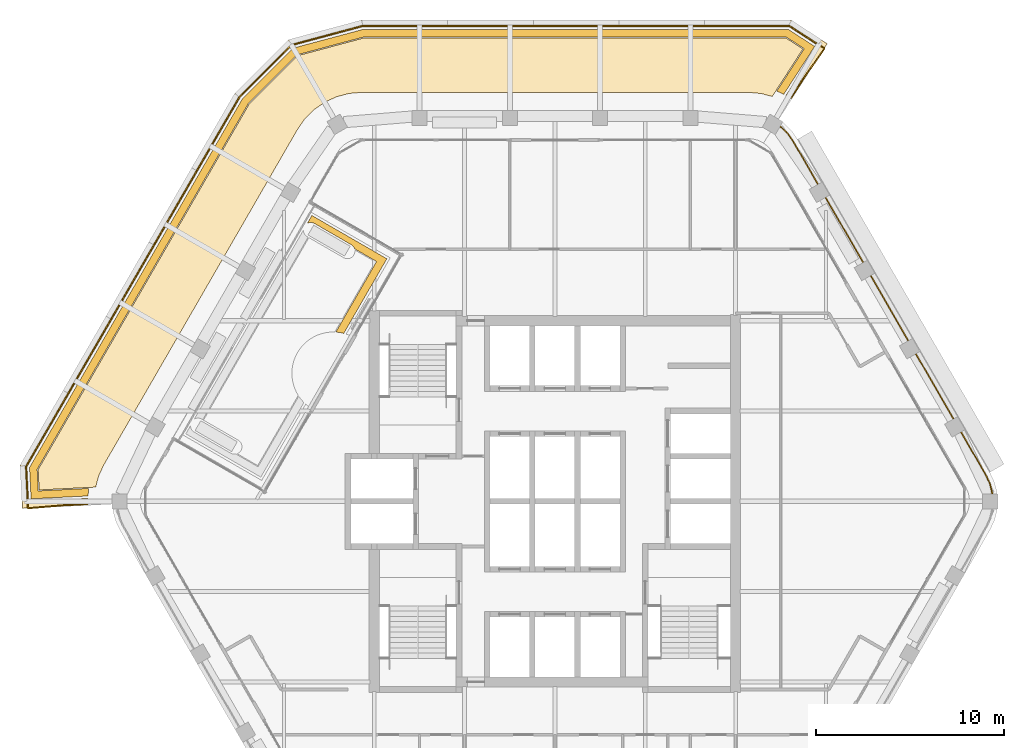
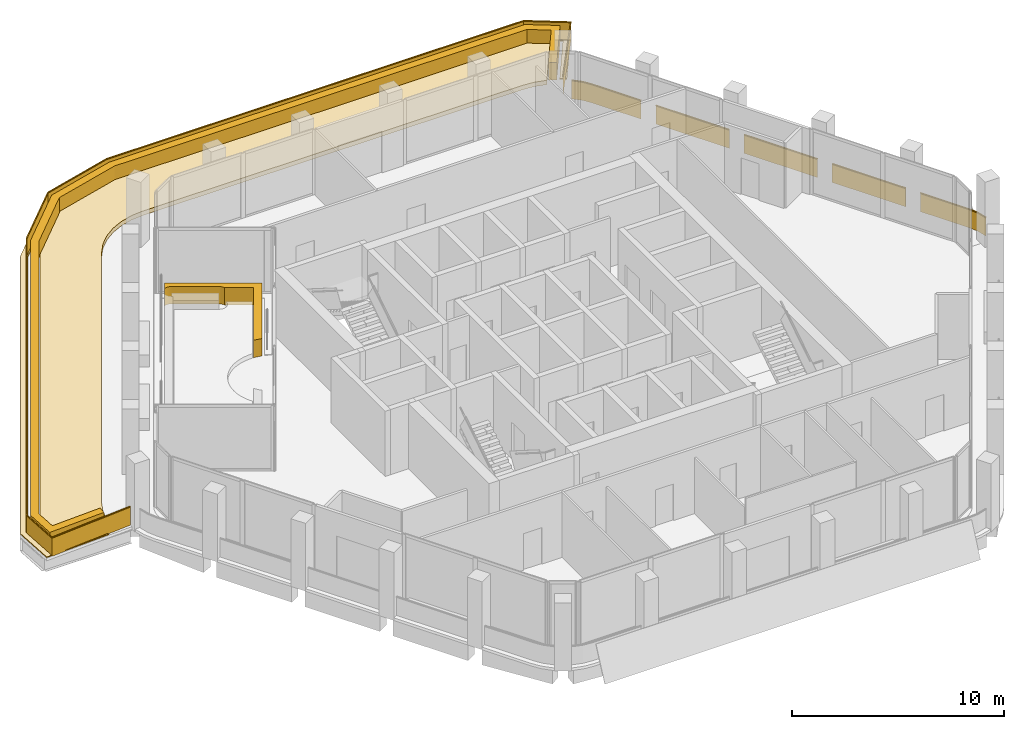
# One storey, part 16 of 16: 4 coverings, 2 railings.
"""IFC4 building model written with IfcOpenShell, lengths in metres."""

import ifcopenshell
import ifcopenshell.guid

model = None  # the IFC model being written
_history = None  # IfcOwnerHistory: only IFC2X3 demands one
_inside = {}  # id of a spatial element -> (the spatial element, [elements in it])
_under = {}  # id of a project, library or spatial element -> (it, [spatial elements below it])
_declared = {}  # id of a project -> (the project, [libraries it declares])
_typed = {}  # id of a type object -> (the type object, [elements of that type])
_made_of = {}  # id of a material, layer set ... -> (it, [elements and type objects made of it])


def new_model(schema):
    """Start an empty IFC model of exactly this schema.

    Asked for "IFC4X3", IfcOpenShell would pick the latest addendum, in which some entities
    have other attributes; the version numbers below select the first issue.
    IFC2X3 requires an IfcOwnerHistory on every rooted entity: one is made here for all.
    """
    global model, _history
    if schema == "IFC4X3":
        model = ifcopenshell.file(schema_version=(4, 3, 0, 0))
    else:
        model = ifcopenshell.file(schema=schema)
    _inside.clear()
    _under.clear()
    _declared.clear()
    _typed.clear()
    _made_of.clear()
    _history = None
    if model.schema == "IFC2X3":
        org = make("IfcOrganization", Name="unknown")
        user = make(
            "IfcPersonAndOrganization",
            ThePerson=make("IfcPerson", FamilyName="unknown"),
            TheOrganization=org,
        )
        app = make(
            "IfcApplication",
            ApplicationDeveloper=org,
            Version="unknown",
            ApplicationFullName="unknown",
            ApplicationIdentifier="unknown",
        )
        _history = make(
            "IfcOwnerHistory",
            OwningUser=user,
            OwningApplication=app,
            ChangeAction="ADDED",
            CreationDate=0,
        )
    return model


def make(cls, **values):
    """One entity of the class cls with the attributes given. An attribute that is None is left unset."""
    return model.create_entity(
        cls, **{name: value for name, value in values.items() if value is not None}
    )


def rooted(cls, **values):
    """An entity with a GlobalId (a new one), such as an element, a storey or a relation."""
    return make(cls, GlobalId=ifcopenshell.guid.new(), OwnerHistory=_history, **values)


def si_unit(unit_type, name, prefix=None):
    """IfcSIUnit, for example si_unit("LENGTHUNIT", "METRE", prefix="MILLI")."""
    return make("IfcSIUnit", UnitType=unit_type, Prefix=prefix, Name=name)


def assignment(units):
    """IfcUnitAssignment: the units of a project."""
    return None if units is None else make("IfcUnitAssignment", Units=units)


def point(xyz):
    """IfcCartesianPoint."""
    return None if xyz is None else make("IfcCartesianPoint", Coordinates=xyz)


def direction(xyz):
    """IfcDirection."""
    return None if xyz is None else make("IfcDirection", DirectionRatios=xyz)


def frame(location, z_axis=None, x_axis=None):
    """IfcAxis2Placement3D, a coordinate frame: its origin and axes. An axis left out is left unset."""
    return make(
        "IfcAxis2Placement3D",
        Location=point(location),
        Axis=direction(z_axis),
        RefDirection=direction(x_axis),
    )


def frame_2d(location, x_axis=None):
    """IfcAxis2Placement2D, a coordinate frame in the plane: its origin and x axis."""
    return make(
        "IfcAxis2Placement2D", Location=point(location), RefDirection=direction(x_axis)
    )


def origin():
    """The frame at (0, 0, 0) with its axes left unset."""
    return frame((0.0, 0.0, 0.0))


def origin_2d():
    """The frame at (0, 0) in the plane with its x axis left unset."""
    return frame_2d((0.0, 0.0))


def place(relative_to, where):
    """IfcLocalPlacement: puts the frame where relative to a parent placement (None: the world)."""
    return make(
        "IfcLocalPlacement", PlacementRelTo=relative_to, RelativePlacement=where
    )


def context(
    kind, dimensions, precision=None, world=None, true_north=None, identifier=None
):
    """IfcGeometricRepresentationContext, for example the 3D "Model" context."""
    return make(
        "IfcGeometricRepresentationContext",
        ContextIdentifier=identifier,
        ContextType=kind,
        CoordinateSpaceDimension=dimensions,
        Precision=precision,
        WorldCoordinateSystem=world,
        TrueNorth=true_north,
    )


def subcontext(parent, identifier, kind, view, scale=None):
    """IfcGeometricRepresentationSubContext, for example "Body" below "Model"."""
    return make(
        "IfcGeometricRepresentationSubContext",
        ContextIdentifier=identifier,
        ContextType=kind,
        ParentContext=parent,
        TargetScale=scale,
        TargetView=view,
    )


def project(units=None, contexts=None):
    """IfcProject with its units and contexts."""
    return rooted(
        "IfcProject",
        Name="project",
        RepresentationContexts=contexts,
        UnitsInContext=assignment(units),
    )


def spatial(cls, under=None, at=None, **own):
    """A site, building, storey or space (cls), placed at a placement, below another one or the project."""
    s = rooted(cls, ObjectPlacement=at, **own)
    if under is not None:
        _under.setdefault(under.id(), (under, []))[1].append(s)
    return s


def polyline(points):
    """IfcPolyline through the points."""
    return make("IfcPolyline", Points=[point(p) for p in points])


def profile(cls, at=None, kind="AREA", **sizes):
    """A parametric profile (cls). Its sizes go by their IFC names, for example OverallWidth=200.0."""
    return make(cls, ProfileType=kind, Position=at, **sizes)


def rectangle(**sizes):
    """IfcRectangleProfileDef."""
    return profile("IfcRectangleProfileDef", **sizes)


def outline(outer, holes=None, kind="AREA"):
    """IfcArbitraryClosedProfileDef: a profile drawn as a closed curve; with holes, ...WithVoids."""
    if holes is None:
        return make("IfcArbitraryClosedProfileDef", ProfileType=kind, OuterCurve=outer)
    return make(
        "IfcArbitraryProfileDefWithVoids",
        ProfileType=kind,
        OuterCurve=outer,
        InnerCurves=holes,
    )


def extrude(swept, where, along, depth):
    """IfcExtrudedAreaSolid: the profile swept, set in the frame where, extruded along a direction by depth."""
    return make(
        "IfcExtrudedAreaSolid",
        SweptArea=swept,
        Position=where,
        ExtrudedDirection=direction(along),
        Depth=depth,
    )


def shape(context_of_items, identifier, shape_type, items):
    """IfcShapeRepresentation: the items that make up one representation, for example the "Body"."""
    return make(
        "IfcShapeRepresentation",
        ContextOfItems=context_of_items,
        RepresentationIdentifier=identifier,
        RepresentationType=shape_type,
        Items=items,
    )


def material(Name=None, Category=None):
    """IfcMaterial."""
    return make("IfcMaterial", Name=Name, Category=Category)


def layer(
    of_material, thickness, ventilated=None, Name=None, Category=None, Priority=None
):
    """IfcMaterialLayer: one layer of a wall or slab, of a material (None: an air gap)."""
    return make(
        "IfcMaterialLayer",
        Material=of_material,
        LayerThickness=thickness,
        IsVentilated=ventilated,
        Name=Name,
        Category=Category,
        Priority=Priority,
    )


def layer_set(layers, Name=None):
    """IfcMaterialLayerSet."""
    return make("IfcMaterialLayerSet", MaterialLayers=layers, LayerSetName=Name)


def made_of(thing, what):
    """Note that an element or type object is made of a material, layer set ...; save() writes the relation."""
    if what is not None:
        _made_of.setdefault(what.id(), (what, []))[1].append(thing)
    return thing


def type_object(cls, material=None, **own):
    """A type object (cls), such as IfcWallType, which elements share."""
    return made_of(rooted(cls, **own), material)


def element(
    cls,
    number,
    at=None,
    inside=None,
    cuts=None,
    type_object=None,
    material=None,
    context=None,
    identifier="Body",
    shape_type=None,
    held_by="IfcProductDefinitionShape",
    body=None,
    shapes=None,
    **own,
):
    """One element of the class cls, such as IfcWall. Its Tag is "e" and its number.

    at: its placement. inside: the storey or other place that contains it. cuts: it is an
    opening in that element (IfcRelVoidsElement). A single representation is given by context,
    identifier, shape_type and body (its items); several are given by shapes. held_by: the class
    of the entity that holds the representations. save() writes the other relations.
    """
    e = rooted(cls, Tag="e%d" % number, ObjectPlacement=at, **own)
    if body is not None:
        shapes = [shape(context, identifier, shape_type, body)]
    if shapes is not None:
        e.Representation = make(held_by, Representations=shapes)
    if inside is not None:
        _inside.setdefault(inside.id(), (inside, []))[1].append(e)
    if cuts is not None:
        rooted(
            "IfcRelVoidsElement", RelatingBuildingElement=cuts, RelatedOpeningElement=e
        )
    if type_object is not None:
        _typed.setdefault(type_object.id(), (type_object, []))[1].append(e)
    return made_of(e, material)


def aggregate(whole, parts):
    """IfcRelAggregates: a whole, such as a stair, and the parts it consists of."""
    return rooted("IfcRelAggregates", RelatingObject=whole, RelatedObjects=parts)


def save(model, path):
    """Write the relations noted so far, then the file.

    IfcRelAggregates (storeys below a building ...), IfcRelContainedInSpatialStructure (elements
    in a storey), IfcRelDefinesByType, IfcRelAssociatesMaterial and IfcRelDeclares: one each for
    every whole, place, type object, material and project.
    """
    for whole, parts in _under.values():
        aggregate(whole, parts)
    for where, things in _inside.values():
        rooted(
            "IfcRelContainedInSpatialStructure",
            RelatedElements=things,
            RelatingStructure=where,
        )
    for kind, things in _typed.values():
        rooted("IfcRelDefinesByType", RelatedObjects=things, RelatingType=kind)
    for what, things in _made_of.values():
        rooted("IfcRelAssociatesMaterial", RelatedObjects=things, RelatingMaterial=what)
    for by, libraries in _declared.values():
        rooted("IfcRelDeclares", RelatingContext=by, RelatedDefinitions=libraries)
    model.write(path)


model = new_model("IFC4")

# Units and contexts
model_context = context("Model", 3, precision=1e-05, world=origin(), true_north=direction((0.0, 1.0)))
body_context = subcontext(model_context, "Body", "Model", "MODEL_VIEW")
ifc_project = project(units=[si_unit("LENGTHUNIT", "METRE"), si_unit("AREAUNIT", "SQUARE_METRE"), si_unit("VOLUMEUNIT", "CUBIC_METRE"), si_unit("PLANEANGLEUNIT", "RADIAN"), si_unit("MASSUNIT", "GRAM", prefix="KILO")], contexts=[model_context])

# Site, building, storey
site_placement = place(None, origin())
site = spatial("IfcSite", under=ifc_project, at=site_placement, CompositionType="ELEMENT")
building_placement = place(site_placement, origin())
building = spatial("IfcBuilding", under=site, at=building_placement, Name="Kolab Exchange Tower", CompositionType="ELEMENT")
storey_placement = place(building_placement, frame((0.0, 0.0, 254.0)))
storey = spatial("IfcBuildingStorey", under=building, at=storey_placement, Name="L56", CompositionType="ELEMENT", Elevation=254.0)

# Railings
ifc_material_1 = material(Name="Steel S235", Category="steel")
railing_type = type_object("IfcRailingType", Name="GUARD 1100 GLASS BALUSTRADE AND STEEL TOP RAIL", PredefinedType="GUARDRAIL", material=ifc_material_1)
railing_1_placement = place(storey_placement, frame((23.2509765625, 0.3984375, 0.0)))
element("IfcRailing", 1, at=railing_1_placement, inside=storey, type_object=railing_type, Name="Guard", PredefinedType="GUARDRAIL", context=body_context, shape_type="SweptSolid", body=[
    extrude(rectangle(XDim=0.05, YDim=0.05, at=origin_2d()), frame((0.0, 0.0, 1.0751953125), z_axis=(-0.234597748196, 0.972092534968, 0.0), x_axis=(-0.972092534968, -0.234597748196, 0.0)), (0.0, 0.0, 1.0), 0.557861328125),
    extrude(rectangle(XDim=0.012, YDim=1.05009765625, at=frame_2d((0.0, 0.525146484375))), frame((0.0, 0.0, 0.0), z_axis=(-0.234597748196, 0.972092534968, 0.0), x_axis=(-0.972092534968, -0.234597748196, 0.0)), (0.0, 0.0, 1.0), 0.557861328125),
    extrude(rectangle(XDim=0.05, YDim=0.05, at=origin_2d()), frame((-0.130859375, 0.542236328125, 1.0751953125), z_axis=(-0.422801802984, 0.906222177721, 0.0), x_axis=(-0.906222177721, -0.422801802984, 0.0)), (0.0, 0.0, 1.0), 0.479248046875),
    extrude(rectangle(XDim=0.012, YDim=1.05009765625, at=frame_2d((0.0, 0.525146484375))), frame((-0.130859375, 0.542236328125, 0.0), z_axis=(-0.422801802984, 0.906222177721, 0.0), x_axis=(-0.906222177721, -0.422801802984, 0.0)), (0.0, 0.0, 1.0), 0.479248046875),
    extrude(rectangle(XDim=0.05, YDim=0.05, at=origin_2d()), frame((-0.33349609375, 0.9765625, 1.0751953125), z_axis=(-0.499997052475, 0.866027105532, 0.0), x_axis=(-0.866027105532, -0.499997052475, 0.0)), (0.0, 0.0, 1.0), 2.66796875),
    extrude(rectangle(XDim=0.012, YDim=1.05009765625, at=frame_2d((0.0, 0.525146484375))), frame((-0.33349609375, 0.9765625, 0.0), z_axis=(-0.499997052475, 0.866027105532, 0.0), x_axis=(-0.866027105532, -0.499997052475, 0.0)), (0.0, 0.0, 1.0), 2.66796875),
    extrude(rectangle(XDim=0.05, YDim=0.05, at=origin_2d()), frame((-2.0673828125, 3.97998046875, 1.0751953125), z_axis=(-0.49999894854, 0.866026010844, 0.0), x_axis=(-0.866026010844, -0.49999894854, 0.0)), (0.0, 0.0, 1.0), 4.0),
    extrude(rectangle(XDim=0.012, YDim=1.05009765625, at=frame_2d((0.0, 0.525146484375))), frame((-2.0673828125, 3.97998046875, 0.0), z_axis=(-0.49999894854, 0.866026010844, 0.0), x_axis=(-0.866026010844, -0.49999894854, 0.0)), (0.0, 0.0, 1.0), 4.0),
    extrude(rectangle(XDim=0.05, YDim=0.05, at=origin_2d()), frame((-4.467529296875, 8.13671875, 1.0751953125), z_axis=(-0.49999894854, 0.866026010844, 0.0), x_axis=(-0.866026010844, -0.49999894854, 0.0)), (0.0, 0.0, 1.0), 4.0),
    extrude(rectangle(XDim=0.012, YDim=1.05009765625, at=frame_2d((0.0, 0.525146484375))), frame((-4.467529296875, 8.13671875, 0.0), z_axis=(-0.49999894854, 0.866026010844, 0.0), x_axis=(-0.866026010844, -0.49999894854, 0.0)), (0.0, 0.0, 1.0), 4.0),
    extrude(rectangle(XDim=0.05, YDim=0.05, at=origin_2d()), frame((-6.867431640625, 12.293701171875, 1.0751953125), z_axis=(-0.49999894854, 0.866026010844, 0.0), x_axis=(-0.866026010844, -0.49999894854, 0.0)), (0.0, 0.0, 1.0), 4.0),
    extrude(rectangle(XDim=0.012, YDim=1.05009765625, at=frame_2d((0.0, 0.525146484375))), frame((-6.867431640625, 12.293701171875, 0.0), z_axis=(-0.49999894854, 0.866026010844, 0.0), x_axis=(-0.866026010844, -0.49999894854, 0.0)), (0.0, 0.0, 1.0), 4.0),
    extrude(rectangle(XDim=0.05, YDim=0.05, at=origin_2d()), frame((-9.267578125, 16.45068359375, 1.0751953125), z_axis=(-0.499997052475, 0.866027105532, 0.0), x_axis=(-0.866027105532, -0.499997052475, 0.0)), (0.0, 0.0, 1.0), 2.66796875),
    extrude(rectangle(XDim=0.012, YDim=1.05009765625, at=frame_2d((0.0, 0.525146484375))), frame((-9.267578125, 16.45068359375, 0.0), z_axis=(-0.499997052475, 0.866027105532, 0.0), x_axis=(-0.866027105532, -0.499997052475, 0.0)), (0.0, 0.0, 1.0), 2.66796875),
    extrude(rectangle(XDim=0.05, YDim=0.05, at=origin_2d()), frame((-10.6015625, 18.76123046875, 1.0751953125), z_axis=(-0.573599091554, 0.819136180478, 0.0), x_axis=(-0.819136180478, -0.573599091554, 0.0)), (0.0, 0.0, 1.0), 0.479248046875),
    extrude(rectangle(XDim=0.012, YDim=1.05009765625, at=frame_2d((0.0, 0.525146484375))), frame((-10.6015625, 18.76123046875, 0.0), z_axis=(-0.573599091554, 0.819136180478, 0.0), x_axis=(-0.819136180478, -0.573599091554, 0.0)), (0.0, 0.0, 1.0), 0.479248046875),
    extrude(rectangle(XDim=0.05, YDim=0.05, at=origin_2d()), frame((-10.87646484375, 19.15380859375, 1.0751953125), z_axis=(-0.724189990991, 0.689600505327, 0.0), x_axis=(-0.689600505327, -0.724189990991, 0.0)), (0.0, 0.0, 1.0), 0.5576171875),
    extrude(rectangle(XDim=0.012, YDim=1.05009765625, at=frame_2d((0.0, 0.525146484375))), frame((-10.87646484375, 19.15380859375, 0.0), z_axis=(-0.724189990991, 0.689600505327, 0.0), x_axis=(-0.689600505327, -0.724189990991, 0.0)), (0.0, 0.0, 1.0), 0.5576171875),
])
railing_2_placement = place(storey_placement, frame((-23.535888671875, 0.0, 0.0)))
element("IfcRailing", 2, at=railing_2_placement, inside=storey, type_object=railing_type, Name="Terrace guard", PredefinedType="GUARDRAIL", context=body_context, shape_type="SweptSolid", body=[
    extrude(rectangle(XDim=0.05, YDim=0.05, at=origin_2d()), frame((0.0, 0.0, 1.0751953125), z_axis=(-0.996530389676, -0.083229696942, 0.0), x_axis=(0.083229696942, -0.996530389676, 0.0)), (0.0, 0.0, 1.0), 4.496826171875),
    extrude(rectangle(XDim=0.012, YDim=1.05009765625, at=frame_2d((0.0, 0.525146484375))), frame((0.0, 0.0, 0.0), z_axis=(-0.996530389676, -0.083229696942, 0.0), x_axis=(0.083229696942, -0.996530389676, 0.0)), (0.0, 0.0, 1.0), 4.496826171875),
    extrude(rectangle(XDim=0.05, YDim=0.05, at=origin_2d()), frame((-4.481201171875, -0.374267578125, 1.0751953125), z_axis=(-0.050003246507, 0.998749055238, 0.0), x_axis=(-0.998749055238, -0.050003246507, 0.0)), (0.0, 0.0, 1.0), 2.226318359375),
    extrude(rectangle(XDim=0.012, YDim=1.05009765625, at=frame_2d((0.0, 0.525146484375))), frame((-4.481201171875, -0.374267578125, 0.0), z_axis=(-0.050003246507, 0.998749055238, 0.0), x_axis=(-0.998749055238, -0.050003246507, 0.0)), (0.0, 0.0, 1.0), 2.226318359375),
    extrude(rectangle(XDim=0.05, YDim=0.05, at=origin_2d()), frame((-4.592529296875, 1.849365234375, 1.0751953125), z_axis=(0.50000403054, 0.866023076739, 0.0), x_axis=(-0.866023076739, 0.50000403054, 0.0)), (0.0, 0.0, 1.0), 22.691162109375),
    extrude(rectangle(XDim=0.012, YDim=1.05009765625, at=frame_2d((0.0, 0.525146484375))), frame((-4.592529296875, 1.849365234375, 0.0), z_axis=(0.50000403054, 0.866023076739, 0.0), x_axis=(-0.866023076739, 0.50000403054, 0.0)), (0.0, 0.0, 1.0), 22.691162109375),
    extrude(rectangle(XDim=0.05, YDim=0.05, at=origin_2d()), frame((6.753173828125, 21.50048828125, 1.0751953125), z_axis=(0.707106781187, 0.707106781187, 0.0), x_axis=(-0.707106781187, 0.707106781187, 0.0)), (0.0, 0.0, 1.0), 3.91748046875),
    extrude(rectangle(XDim=0.012, YDim=1.05009765625, at=frame_2d((0.0, 0.525146484375))), frame((6.753173828125, 21.50048828125, 0.0), z_axis=(0.707106781187, 0.707106781187, 0.0), x_axis=(-0.707106781187, 0.707106781187, 0.0)), (0.0, 0.0, 1.0), 3.91748046875),
    extrude(rectangle(XDim=0.05, YDim=0.05, at=origin_2d()), frame((9.523193359375, 24.2705078125, 1.0751953125), z_axis=(0.965913556274, 0.258864833081, 0.0), x_axis=(-0.258864833081, 0.965913556274, 0.0)), (0.0, 0.0, 1.0), 3.917724609375),
    extrude(rectangle(XDim=0.012, YDim=1.05009765625, at=frame_2d((0.0, 0.525146484375))), frame((9.523193359375, 24.2705078125, 0.0), z_axis=(0.965913556274, 0.258864833081, 0.0), x_axis=(-0.258864833081, 0.965913556274, 0.0)), (0.0, 0.0, 1.0), 3.917724609375),
    extrude(rectangle(XDim=0.05, YDim=0.05, at=origin_2d()), frame((13.307373046875, 25.28466796875, 1.0751953125), z_axis=(1.0, 0.0, 0.0), x_axis=(0.0, 1.0, 0.0)), (0.0, 0.0, 1.0), 22.691162109375),
    extrude(rectangle(XDim=0.012, YDim=1.05009765625, at=frame_2d((0.0, 0.525146484375))), frame((13.307373046875, 25.28466796875, 0.0), z_axis=(1.0, 0.0, 0.0), x_axis=(0.0, 1.0, 0.0)), (0.0, 0.0, 1.0), 22.691162109375),
    extrude(rectangle(XDim=0.05, YDim=0.05, at=origin_2d()), frame((35.99853515625, 25.28466796875, 1.0751953125), z_axis=(0.839943581843, -0.542673731924, 0.0), x_axis=(0.542673731924, 0.839943581843, 0.0)), (0.0, 0.0, 1.0), 2.2265625),
    extrude(rectangle(XDim=0.012, YDim=1.05009765625, at=frame_2d((0.0, 0.525146484375))), frame((35.99853515625, 25.28466796875, 0.0), z_axis=(0.839943581843, -0.542673731924, 0.0), x_axis=(0.542673731924, 0.839943581843, 0.0)), (0.0, 0.0, 1.0), 2.2265625),
    extrude(rectangle(XDim=0.05, YDim=0.05, at=origin_2d()), frame((37.86865234375, 24.076416015625, 1.0751953125), z_axis=(-0.570324587803, -0.821419420605, 0.0), x_axis=(0.821419420605, -0.570324587803, 0.0)), (0.0, 0.0, 1.0), 4.496826171875),
    extrude(rectangle(XDim=0.012, YDim=1.05009765625, at=frame_2d((0.0, 0.525146484375))), frame((37.86865234375, 24.076416015625, 0.0), z_axis=(-0.570324587803, -0.821419420605, 0.0), x_axis=(0.821419420605, -0.570324587803, 0.0)), (0.0, 0.0, 1.0), 4.496826171875),
])

# Coverings
ifc_material_2 = material(Name="Planting soil and turf", Category="soil")
ifc_layer_1 = layer(ifc_material_2, 0.25)
ifc_layer_set_1 = layer_set([ifc_layer_1], Name="Planting soil and turf")
covering_type_1 = type_object("IfcCoveringType", Name="PLANTING SOIL AND TURF 250", PredefinedType="USERDEFINED", material=ifc_layer_set_1)
covering_1_placement = place(storey_placement, origin())
element("IfcCovering", 3, at=covering_1_placement, inside=storey, type_object=covering_type_1, Name="Planting soil and turf", ObjectType="PLANTING", PredefinedType="USERDEFINED", context=body_context, shape_type="SweptSolid", body=[
    extrude(outline(polyline([(-27.41552734375, 0.60693359375), (-27.4697265625, 1.6904296875), (-16.2626953125, 21.101318359375), (-13.676025390625, 23.687744140625), (-10.142822265625, 24.634521484375), (12.27099609375, 24.634521484375), (13.18212890625, 24.046142578125), (11.54931640625, 21.518798828125), (10.95458984375, 21.67822265625), (10.309326171875, 21.734619140625), (-10.309326171875, 21.734619140625), (-10.95458984375, 21.67822265625), (-11.6201171875, 21.499755859375), (-12.24462890625, 21.20849609375), (-12.809326171875, 20.813232421875), (-13.296630859375, 20.325927734375), (-13.66796875, 19.79541015625), (-23.9775390625, 1.939208984375), (-24.251220703125, 1.352294921875), (-24.410400390625, 0.75732421875), (-27.41552734375, 0.60693359375)])), origin(), (0.0, 0.0, 1.0), 0.25),
])
ifc_material_3 = material(Name="Limestone coping", Category="masonry")
ifc_layer_2 = layer(ifc_material_3, 0.050048828125)
ifc_layer_set_2 = layer_set([ifc_layer_2], Name="Limestone coping")
covering_type_2 = type_object("IfcCoveringType", Name="TERRACE EDGE BAND LIMESTONE 50", PredefinedType="CLADDING", material=ifc_layer_set_2)
covering_2_placement = place(storey_placement, origin())
element("IfcCovering", 4, at=covering_2_placement, inside=storey, type_object=covering_type_2, Name="Terrace edge band", PredefinedType="CLADDING", context=body_context, shape_type="SweptSolid", body=[
    extrude(outline(polyline([(-28.412109375, 1.917724609375), (-17.0068359375, 21.67236328125), (-14.157470703125, 24.521728515625), (-10.265380859375, 25.564697265625), (12.54541015625, 25.564697265625), (14.4677734375, 24.322509765625), (12.580322265625, 21.40087890625), (12.513671875, 21.447509765625), (12.41796875, 21.508544921875), (12.3173828125, 21.560791015625), (12.27880859375, 21.578857421875), (13.98388671875, 24.218505859375), (12.442138671875, 25.214599609375), (-10.21923828125, 25.214599609375), (-13.976318359375, 24.207763671875), (-16.726806640625, 21.45751953125), (-28.0576171875, 1.832275390625), (-27.9658203125, -0.001220703125), (-24.8271484375, 0.15576171875), (-24.8310546875, 0.11328125), (-24.8359375, 0.0), (-24.8310546875, -0.11328125), (-24.82373046875, -0.194580078125), (-28.2978515625, -0.368408203125), (-28.412109375, 1.917724609375)])), origin(), (0.0, 0.0, 1.0), 0.050048828125),
])
ifc_material_4 = material(Name="Terrace hedge planting", Category="soil")
ifc_layer_3 = layer(ifc_material_4, 1.0)
ifc_layer_set_3 = layer_set([ifc_layer_3], Name="Terrace hedge planting")
covering_type_3 = type_object("IfcCoveringType", Name="TERRACE HEDGE 1000 X 400", PredefinedType="USERDEFINED", material=ifc_layer_set_3)
covering_3_placement = place(storey_placement, origin())
element("IfcCovering", 5, at=covering_3_placement, inside=storey, type_object=covering_type_3, Name="Terrace hedge", ObjectType="PLANTING", PredefinedType="USERDEFINED", context=body_context, shape_type="SweptSolid", body=[
    extrude(outline(polyline([(-12.91796875, 15.194580078125), (-8.934326171875, 12.894775390625), (-11.224365234375, 8.927978515625), (-11.352783203125, 8.9599609375), (-11.56640625, 8.99169921875), (-11.647216796875, 8.99560546875), (-9.480712890625, 12.748291015625), (-10.655029296875, 13.42626953125), (-10.6591796875, 13.439453125), (-10.6748046875, 13.475341796875), (-10.69384765625, 13.509765625), (-10.71630859375, 13.5419921875), (-10.74169921875, 13.57177734375), (-10.769775390625, 13.59912109375), (-10.800537109375, 13.62353515625), (-10.83349609375, 13.644775390625), (-12.7734375, 14.764892578125), (-12.808349609375, 14.78271484375), (-12.844970703125, 14.797119140625), (-12.882568359375, 14.80810546875), (-12.92138671875, 14.81494140625), (-12.96044921875, 14.818359375), (-12.999755859375, 14.817626953125), (-13.03857421875, 14.813232421875), (-13.0771484375, 14.804931640625), (-13.114501953125, 14.792724609375), (-13.150390625, 14.777099609375), (-13.1630859375, 14.770263671875), (-12.91796875, 15.194580078125)])), origin(), (0.0, 0.0, 1.0), 1.0),
])
covering_4_placement = place(storey_placement, origin())
element("IfcCovering", 6, at=covering_4_placement, inside=storey, type_object=covering_type_3, Name="Terrace hedge", ObjectType="PLANTING", PredefinedType="USERDEFINED", context=body_context, shape_type="SweptSolid", body=[
    extrude(outline(polyline([(-27.92578125, 1.80029296875), (-16.622802734375, 21.377685546875), (-13.9091796875, 24.09130859375), (-10.2021484375, 25.084716796875), (12.40380859375, 25.084716796875), (13.80419921875, 24.179931640625), (12.15966796875, 21.63427734375), (11.843505859375, 21.781982421875), (11.79248046875, 21.802978515625), (13.251220703125, 24.06103515625), (12.285888671875, 24.6845703125), (-10.1494140625, 24.6845703125), (-13.701904296875, 23.732666015625), (-16.302734375, 21.132080078125), (-27.520263671875, 1.70263671875), (-27.462890625, 0.554443359375), (-24.778076171875, 0.68896484375), (-24.785400390625, 0.63427734375), (-24.81591796875, 0.28662109375), (-27.842529296875, 0.135009765625), (-27.92578125, 1.80029296875)])), origin(), (0.0, 0.0, 1.0), 1.0),
])

save(model, "model.ifc")
